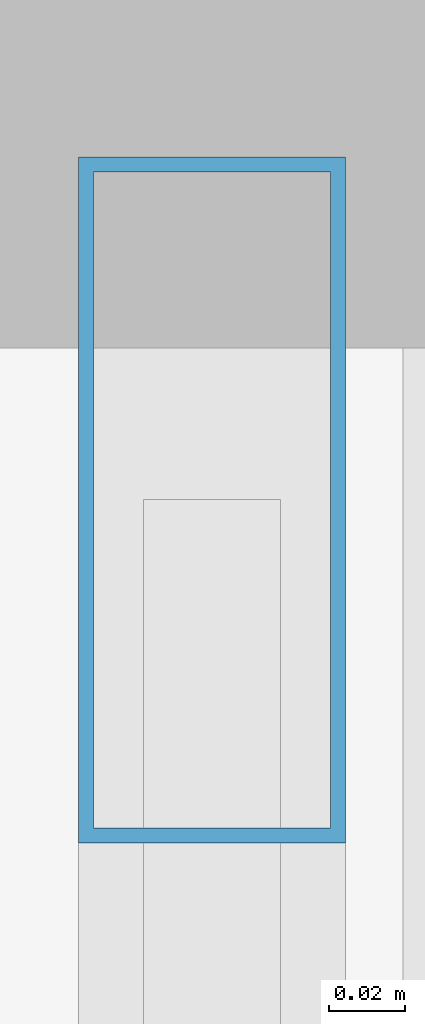
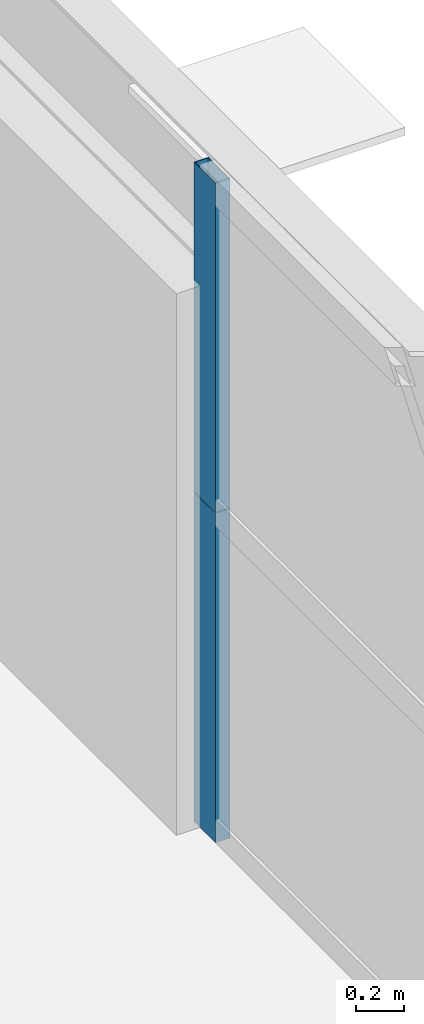
# One storey, part 35 of 45: 2 members, 1 element without a shape of its own.
"""IFC4 building model written with IfcOpenShell, lengths in metres."""

from ifc_helpers import new_model, si_unit, direction, frame, origin, origin_2d, place, context, subcontext, project, spatial, hollow_rectangle, extrude, source, transform, mapped, material, layer, layer_set, material_profile, profile_set, type_object, element, aggregate, save


model = new_model("IFC4")

# Units and contexts
model_context = context("Model", 3, precision=1e-05, world=origin(), true_north=direction((0.0, 1.0)))
body_context = subcontext(model_context, "Body", "Model", "MODEL_VIEW")
ifc_project = project(units=[si_unit("LENGTHUNIT", "METRE"), si_unit("AREAUNIT", "SQUARE_METRE"), si_unit("VOLUMEUNIT", "CUBIC_METRE"), si_unit("PLANEANGLEUNIT", "RADIAN"), si_unit("MASSUNIT", "GRAM", prefix="KILO"), si_unit("THERMODYNAMICTEMPERATUREUNIT", "KELVIN"), si_unit("POWERUNIT", "WATT")], contexts=[model_context])

# Site, building, storey
site_placement = place(None, origin())
site = spatial("IfcSite", under=ifc_project, at=site_placement, CompositionType="ELEMENT")
building_placement = place(site_placement, origin())
building = spatial("IfcBuilding", under=site, at=building_placement, Name="Yuzanri Waterfront Tower", CompositionType="ELEMENT")
storey_placement = place(building_placement, frame((0.0, 0.0, 34.199951171875)))
storey = spatial("IfcBuildingStorey", under=building, at=storey_placement, Name="L08", CompositionType="ELEMENT", Elevation=34.199951171875)

# Curtain wall, members
ifc_material_1 = material(Name="Anodized Architectural Bronze", Category="metal")
ifc_layer = layer(ifc_material_1, 0.159912109375)
ifc_layer_set = layer_set([ifc_layer], Name="Anodized Architectural Bronze")
curtain_wall_type = type_object("IfcCurtainWallType", Name="Anodized Bronze Hotel Lower-Tier Recessed Unitized Curtain Wall 8100", PredefinedType="NOTDEFINED", material=ifc_layer_set)
curtain_wall_placement = place(storey_placement, origin())
curtain_wall = element("IfcCurtainWall", 1, at=curtain_wall_placement, inside=storey, type_object=curtain_wall_type, Name="L08 Curtain Wall CW-L08-ER", PredefinedType="NOTDEFINED")
ifc_material_2 = material(Name="Anodized Architectural Bronze", Category="metal")
ifc_material_profile = material_profile(ifc_material_2, hollow_rectangle(XDim=0.070068359375, YDim=0.179931640625, WallThickness=0.00390625, at=origin_2d()), Name="CWM 70x180")
ifc_profile_set = profile_set([ifc_material_profile], Name="Anodized Architectural Bronze")
member_type = type_object("IfcMemberType", Name="Anodized Bronze Standard Curtain-Wall Mullion 70x180", PredefinedType="MULLION", material=ifc_profile_set)
shared_shape = source(origin(), body_context, "Body", "SweptSolid", [
    extrude(hollow_rectangle(XDim=0.070068359375, YDim=0.179931640625, WallThickness=0.00390625, at=origin_2d()), origin(), (0.0, 0.0, 1.0), 1.68798828125),
])
member_1_placement = place(storey_placement, frame((61.949951171875, 43.510009765625, 0.0), z_axis=(0.0, 0.0, 1.0), x_axis=(1.0, 0.0, 0.0)))
member_1 = element("IfcMember", 2, at=member_1_placement, type_object=member_type, Name="CW-L08-ER Lower Mullion 02", PredefinedType="MULLION", context=body_context, shape_type="MappedRepresentation", body=[
    mapped(shared_shape, transform((0.0, 0.0, 0.0), scale=1.0)),
])
member_2_placement = place(storey_placement, frame((61.949951171875, 43.510009765625, 1.692138671875), z_axis=(0.0, 0.0, 1.0), x_axis=(1.0, 0.0, 0.0)))
member_2 = element("IfcMember", 3, at=member_2_placement, type_object=member_type, Name="CW-L08-ER Upper Mullion 02", PredefinedType="MULLION", context=body_context, shape_type="MappedRepresentation", body=[
    mapped(shared_shape, transform((0.0, 0.0, 0.0), scale=1.0)),
])
aggregate(curtain_wall, [member_1, member_2])

save(model, "model.ifc")
